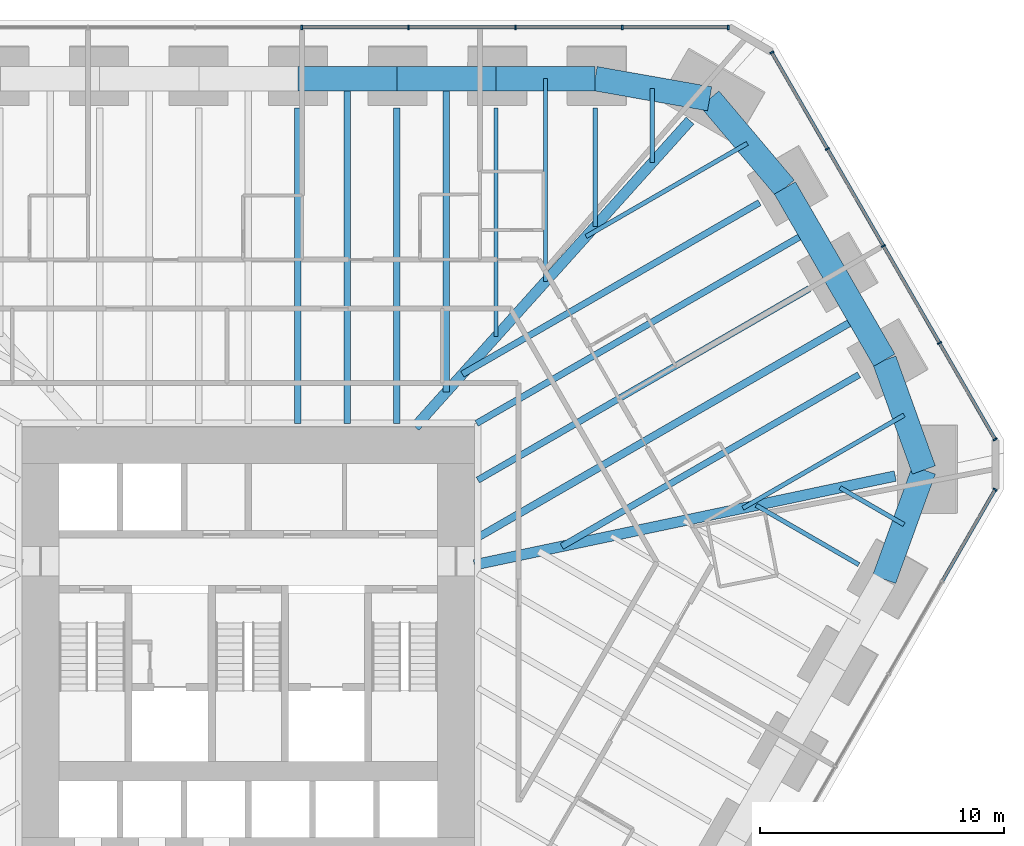
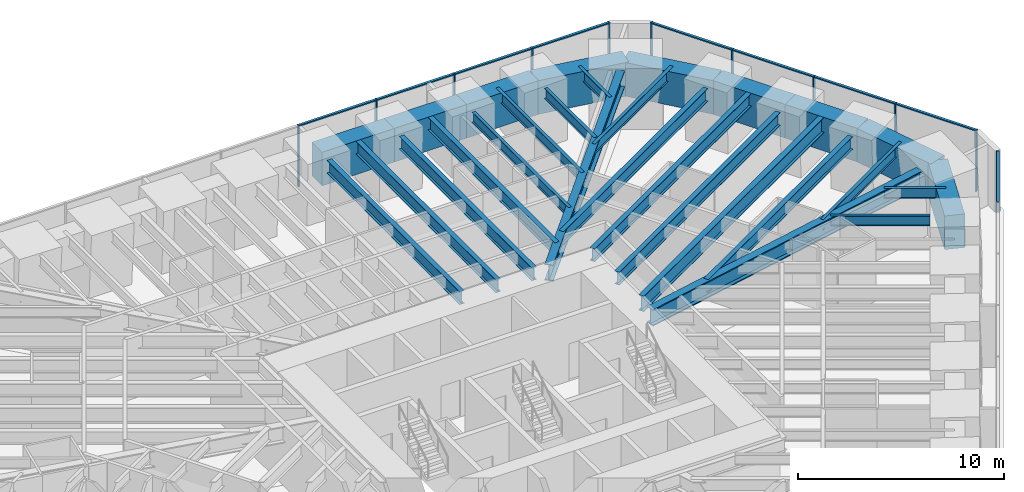
# One storey, part 9 of 17: 28 beams, 20 members, 3 elements without a shape of their own.
"""IFC4 building model written with IfcOpenShell, lengths in metres."""

from ifc_helpers import new_model, si_unit, direction, frame, origin, origin_2d, place, context, subcontext, project, spatial, rectangle, i_section, extrude, material, material_profile, profile_set, type_object, element, aggregate, save


model = new_model("IFC4")

# Units and contexts
model_context = context("Model", 3, precision=1e-05, world=origin(), true_north=direction((0.0, 1.0)))
body_context = subcontext(model_context, "Body", "Model", "MODEL_VIEW")
ifc_project = project(units=[si_unit("LENGTHUNIT", "METRE"), si_unit("AREAUNIT", "SQUARE_METRE"), si_unit("VOLUMEUNIT", "CUBIC_METRE"), si_unit("PLANEANGLEUNIT", "RADIAN"), si_unit("MASSUNIT", "GRAM", prefix="KILO")], contexts=[model_context])

# Site, building, storey
site_placement = place(None, origin())
site = spatial("IfcSite", under=ifc_project, at=site_placement, CompositionType="ELEMENT")
building_placement = place(site_placement, origin())
building = spatial("IfcBuilding", under=site, at=building_placement, Name="Sandreach Pilgrim Tower", CompositionType="ELEMENT")
storey_placement = place(building_placement, frame((0.0, 0.0, 76.199951171875)))
storey = spatial("IfcBuildingStorey", under=building, at=storey_placement, Name="L18", CompositionType="ELEMENT", Elevation=76.199951171875)

# Curtain wall, members
ifc_material_1 = material(Name="Aluminium framed curtain wall", Category="aluminium")
curtain_wall_type = type_object("IfcCurtainWallType", Name="Hostel tower curtain wall", PredefinedType="NOTDEFINED", material=ifc_material_1)
curtain_wall_1_placement = place(storey_placement, origin())
curtain_wall_1 = element("IfcCurtainWall", 1, at=curtain_wall_1_placement, inside=storey, type_object=curtain_wall_type, Name="CW-1 L18 N", PredefinedType="NOTDEFINED")
ifc_material_2 = material(Name="Aluminium extrusion", Category="aluminium")
ifc_material_profile_1 = material_profile(ifc_material_2, rectangle(XDim=0.06494140625, YDim=0.179931640625, at=origin_2d()), Name="CW-1M 65X180")
ifc_profile_set_1 = profile_set([ifc_material_profile_1], Name="Aluminium extrusion")
member_type_1 = type_object("IfcMemberType", Name="CW-1 mullion", PredefinedType="MULLION", material=ifc_profile_set_1)
member_1_placement = place(storey_placement, frame((2.185791015625, 23.94873046875, 0.0), z_axis=(0.0, 0.0, 1.0), x_axis=(1.0, 0.0, 0.0)))
member_1 = element("IfcMember", 2, at=member_1_placement, type_object=member_type_1, Name="CW-1 mullion 6", PredefinedType="MULLION", context=body_context, shape_type="SweptSolid", body=[
    extrude(rectangle(XDim=0.06494140625, YDim=0.179931640625, at=origin_2d()), origin(), (0.0, 0.0, 1.0), 3.64013671875),
])
member_2_placement = place(storey_placement, frame((6.557373046875, 23.94873046875, 0.0), z_axis=(0.0, 0.0, 1.0), x_axis=(1.0, 0.0, 0.0)))
member_2 = element("IfcMember", 3, at=member_2_placement, type_object=member_type_1, Name="CW-1 mullion 7", PredefinedType="MULLION", context=body_context, shape_type="SweptSolid", body=[
    extrude(rectangle(XDim=0.06494140625, YDim=0.179931640625, at=origin_2d()), origin(), (0.0, 0.0, 1.0), 3.64013671875),
])
member_3_placement = place(storey_placement, frame((10.928955078125, 23.94873046875, 0.0), z_axis=(0.0, 0.0, 1.0), x_axis=(1.0, 0.0, 0.0)))
member_3 = element("IfcMember", 4, at=member_3_placement, type_object=member_type_1, Name="CW-1 mullion 8", PredefinedType="MULLION", context=body_context, shape_type="SweptSolid", body=[
    extrude(rectangle(XDim=0.06494140625, YDim=0.179931640625, at=origin_2d()), origin(), (0.0, 0.0, 1.0), 3.64013671875),
])
member_4_placement = place(storey_placement, frame((15.300537109375, 23.94873046875, 0.0), z_axis=(0.0, 0.0, 1.0), x_axis=(1.0, 0.0, 0.0)))
member_4 = element("IfcMember", 5, at=member_4_placement, type_object=member_type_1, Name="CW-1 mullion 9", PredefinedType="MULLION", context=body_context, shape_type="SweptSolid", body=[
    extrude(rectangle(XDim=0.06494140625, YDim=0.179931640625, at=origin_2d()), origin(), (0.0, 0.0, 1.0), 3.64013671875),
])
member_5_placement = place(storey_placement, frame((19.6396484375, 23.94873046875, 0.0), z_axis=(0.0, 0.0, 1.0), x_axis=(1.0, 0.0, 0.0)))
member_5 = element("IfcMember", 6, at=member_5_placement, type_object=member_type_1, Name="CW-1 mullion 10", PredefinedType="MULLION", context=body_context, shape_type="SweptSolid", body=[
    extrude(rectangle(XDim=0.06494140625, YDim=0.179931640625, at=origin_2d()), origin(), (0.0, 0.0, 1.0), 3.64013671875),
])

curtain_wall_2_placement = place(storey_placement, origin())
curtain_wall_2 = element("IfcCurtainWall", 7, at=curtain_wall_2_placement, inside=storey, type_object=curtain_wall_type, Name="CW-1 L18 NE", PredefinedType="NOTDEFINED")
member_6_placement = place(storey_placement, frame((21.42041015625, 22.920654296875, 0.0), z_axis=(0.0, 0.0, 1.0), x_axis=(0.5, -0.866025403784, 0.0)))
member_6 = element("IfcMember", 8, at=member_6_placement, type_object=member_type_1, Name="CW-1 mullion 1", PredefinedType="MULLION", context=body_context, shape_type="SweptSolid", body=[
    extrude(rectangle(XDim=0.06494140625, YDim=0.179931640625, at=origin_2d()), origin(), (0.0, 0.0, 1.0), 3.64013671875),
])
member_7_placement = place(storey_placement, frame((23.697265625, 18.97705078125, 0.0), z_axis=(0.0, 0.0, 1.0), x_axis=(0.5, -0.866025403784, 0.0)))
member_7 = element("IfcMember", 9, at=member_7_placement, type_object=member_type_1, Name="CW-1 mullion 2", PredefinedType="MULLION", context=body_context, shape_type="SweptSolid", body=[
    extrude(rectangle(XDim=0.06494140625, YDim=0.179931640625, at=origin_2d()), origin(), (0.0, 0.0, 1.0), 3.64013671875),
])
member_8_placement = place(storey_placement, frame((25.990234375, 15.00537109375, 0.0), z_axis=(0.0, 0.0, 1.0), x_axis=(0.5, -0.866025403784, 0.0)))
member_8 = element("IfcMember", 10, at=member_8_placement, type_object=member_type_1, Name="CW-1 mullion 3", PredefinedType="MULLION", context=body_context, shape_type="SweptSolid", body=[
    extrude(rectangle(XDim=0.06494140625, YDim=0.179931640625, at=origin_2d()), origin(), (0.0, 0.0, 1.0), 3.64013671875),
])
member_9_placement = place(storey_placement, frame((28.283203125, 11.03369140625, 0.0), z_axis=(0.0, 0.0, 1.0), x_axis=(0.5, -0.866025403784, 0.0)))
member_9 = element("IfcMember", 11, at=member_9_placement, type_object=member_type_1, Name="CW-1 mullion 4", PredefinedType="MULLION", context=body_context, shape_type="SweptSolid", body=[
    extrude(rectangle(XDim=0.06494140625, YDim=0.179931640625, at=origin_2d()), origin(), (0.0, 0.0, 1.0), 3.64013671875),
])
member_10_placement = place(storey_placement, frame((30.56005859375, 7.09033203125, 0.0), z_axis=(0.0, 0.0, 1.0), x_axis=(0.5, -0.866025403784, 0.0)))
member_10 = element("IfcMember", 12, at=member_10_placement, type_object=member_type_1, Name="CW-1 mullion 5", PredefinedType="MULLION", context=body_context, shape_type="SweptSolid", body=[
    extrude(rectangle(XDim=0.06494140625, YDim=0.179931640625, at=origin_2d()), origin(), (0.0, 0.0, 1.0), 3.64013671875),
])

# Curtain wall, member
curtain_wall_3_placement = place(storey_placement, origin())
curtain_wall_3 = element("IfcCurtainWall", 13, at=curtain_wall_3_placement, inside=storey, type_object=curtain_wall_type, Name="CW-1 L18 SE", PredefinedType="NOTDEFINED")
member_11_placement = place(storey_placement, frame((30.56005859375, 5.033935546875, 0.0), z_axis=(0.0, 0.0, 1.0), x_axis=(-0.5, -0.866025403784, 0.0)))
member_11 = element("IfcMember", 14, at=member_11_placement, type_object=member_type_1, Name="CW-1 mullion 1", PredefinedType="MULLION", context=body_context, shape_type="SweptSolid", body=[
    extrude(rectangle(XDim=0.06494140625, YDim=0.179931640625, at=origin_2d()), origin(), (0.0, 0.0, 1.0), 3.64013671875),
])

# Member
ifc_material_3 = material(Name="Aluminium extrusion", Category="aluminium")
ifc_material_profile_2 = material_profile(ifc_material_3, rectangle(XDim=0.139892578125, YDim=0.070068359375, at=origin_2d()), Name="CW-1T 140X70")
ifc_profile_set_2 = profile_set([ifc_material_profile_2], Name="Aluminium extrusion")
member_type_2 = type_object("IfcMemberType", Name="CW-1 transom", PredefinedType="USERDEFINED", material=ifc_profile_set_2)
member_12_placement = place(storey_placement, frame((2.21826171875, 23.94873046875, 3.60498046875), z_axis=(1.0, 0.0, 0.0), x_axis=(0.0, 1.0, 0.0)))
member_12 = element("IfcMember", 15, at=member_12_placement, type_object=member_type_2, Name="CW-1 head transom 6", ObjectType="TRANSOM", PredefinedType="USERDEFINED", context=body_context, shape_type="SweptSolid", body=[
    extrude(rectangle(XDim=0.139892578125, YDim=0.070068359375, at=origin_2d()), origin(), (0.0, 0.0, 1.0), 4.306640625),
])

member_13_placement = place(storey_placement, frame((6.58984375, 23.94873046875, 3.60498046875), z_axis=(1.0, 0.0, 0.0), x_axis=(0.0, 1.0, 0.0)))
member_13 = element("IfcMember", 16, at=member_13_placement, type_object=member_type_2, Name="CW-1 head transom 7", ObjectType="TRANSOM", PredefinedType="USERDEFINED", context=body_context, shape_type="SweptSolid", body=[
    extrude(rectangle(XDim=0.139892578125, YDim=0.070068359375, at=origin_2d()), origin(), (0.0, 0.0, 1.0), 4.306640625),
])

member_14_placement = place(storey_placement, frame((10.96142578125, 23.94873046875, 3.60498046875), z_axis=(1.0, 0.0, 0.0), x_axis=(0.0, 1.0, 0.0)))
member_14 = element("IfcMember", 17, at=member_14_placement, type_object=member_type_2, Name="CW-1 head transom 8", ObjectType="TRANSOM", PredefinedType="USERDEFINED", context=body_context, shape_type="SweptSolid", body=[
    extrude(rectangle(XDim=0.139892578125, YDim=0.070068359375, at=origin_2d()), origin(), (0.0, 0.0, 1.0), 4.306640625),
])

member_15_placement = place(storey_placement, frame((15.3330078125, 23.94873046875, 3.60498046875), z_axis=(1.0, 0.0, 0.0), x_axis=(0.0, 1.0, 0.0)))
member_15 = element("IfcMember", 18, at=member_15_placement, type_object=member_type_2, Name="CW-1 head transom 9", ObjectType="TRANSOM", PredefinedType="USERDEFINED", context=body_context, shape_type="SweptSolid", body=[
    extrude(rectangle(XDim=0.139892578125, YDim=0.070068359375, at=origin_2d()), origin(), (0.0, 0.0, 1.0), 4.274169921875),
])

aggregate(curtain_wall_1, [member_1, member_2, member_3, member_4, member_5, member_12, member_13, member_14, member_15])

member_16_placement = place(storey_placement, frame((21.4365234375, 22.892333984375, 3.60498046875), z_axis=(0.500017500808, -0.866015299452, 0.0), x_axis=(0.866015299452, 0.500017500808, 0.0)))
member_16 = element("IfcMember", 19, at=member_16_placement, type_object=member_type_2, Name="CW-1 head transom 1", ObjectType="TRANSOM", PredefinedType="USERDEFINED", context=body_context, shape_type="SweptSolid", body=[
    extrude(rectangle(XDim=0.139892578125, YDim=0.070068359375, at=origin_2d()), origin(), (0.0, 0.0, 1.0), 4.488525390625),
])

member_17_placement = place(storey_placement, frame((23.71337890625, 18.948974609375, 3.60498046875), z_axis=(0.500001366228, -0.866024614991, 0.0), x_axis=(0.866024614991, 0.500001366228, 0.0)))
member_17 = element("IfcMember", 20, at=member_17_placement, type_object=member_type_2, Name="CW-1 head transom 2", ObjectType="TRANSOM", PredefinedType="USERDEFINED", context=body_context, shape_type="SweptSolid", body=[
    extrude(rectangle(XDim=0.139892578125, YDim=0.070068359375, at=origin_2d()), origin(), (0.0, 0.0, 1.0), 4.52099609375),
])

member_18_placement = place(storey_placement, frame((26.00634765625, 14.977294921875, 3.60498046875), z_axis=(0.500001366228, -0.866024614991, 0.0), x_axis=(0.866024614991, 0.500001366228, 0.0)))
member_18 = element("IfcMember", 21, at=member_18_placement, type_object=member_type_2, Name="CW-1 head transom 3", ObjectType="TRANSOM", PredefinedType="USERDEFINED", context=body_context, shape_type="SweptSolid", body=[
    extrude(rectangle(XDim=0.139892578125, YDim=0.070068359375, at=origin_2d()), origin(), (0.0, 0.0, 1.0), 4.52099609375),
])

member_19_placement = place(storey_placement, frame((28.299560546875, 11.005615234375, 3.60498046875), z_axis=(0.499976706761, -0.866038851724, 0.0), x_axis=(0.866038851724, 0.499976706761, 0.0)))
member_19 = element("IfcMember", 22, at=member_19_placement, type_object=member_type_2, Name="CW-1 head transom 4", ObjectType="TRANSOM", PredefinedType="USERDEFINED", context=body_context, shape_type="SweptSolid", body=[
    extrude(rectangle(XDim=0.139892578125, YDim=0.070068359375, at=origin_2d()), origin(), (0.0, 0.0, 1.0), 4.488525390625),
])

aggregate(curtain_wall_2, [member_6, member_7, member_8, member_9, member_10, member_16, member_17, member_18, member_19])

member_20_placement = place(storey_placement, frame((30.543701171875, 5.005859375, 3.60498046875), z_axis=(-0.499991113271, -0.866030534479, 0.0), x_axis=(0.866030534479, -0.499991113271, 0.0)))
member_20 = element("IfcMember", 23, at=member_20_placement, type_object=member_type_2, Name="CW-1 head transom 1", ObjectType="TRANSOM", PredefinedType="USERDEFINED", context=body_context, shape_type="SweptSolid", body=[
    extrude(rectangle(XDim=0.139892578125, YDim=0.070068359375, at=origin_2d()), origin(), (0.0, 0.0, 1.0), 4.27392578125),
])

aggregate(curtain_wall_3, [member_11, member_20])

# Beams
ifc_material_4 = material(Name="Steel ASTM A992 Grade 50", Category="steel")
ifc_material_profile_3 = material_profile(ifc_material_4, i_section(OverallWidth=0.4267578125, OverallDepth=0.975341796875, WebThickness=0.031005859375, FlangeThickness=0.055908203125, at=origin_2d()), Name="W36X395")
ifc_profile_set_3 = profile_set([ifc_material_profile_3], Name="Steel ASTM A992 Grade 50")
beam_type_1 = type_object("IfcBeamType", Name="Corner girder W36X395", PredefinedType="BEAM", material=ifc_profile_set_3)
beam_1_placement = place(storey_placement, frame((18.0751953125, 20.129638671875, 3.15234375), z_axis=(-0.668124063218, -0.744049888213, 0.0), x_axis=(0.744049888213, -0.668124063218, 0.0)))
element("IfcBeam", 24, at=beam_1_placement, inside=storey, type_object=beam_type_1, Name="BM L18 CG09", PredefinedType="BEAM", context=body_context, shape_type="SweptSolid", body=[
    extrude(i_section(OverallWidth=0.4267578125, OverallDepth=0.975341796875, WebThickness=0.031005859375, FlangeThickness=0.055908203125, at=origin_2d()), origin(), (0.0, 0.0, 1.0), 16.839599609375),
])
ifc_material_5 = material(Name="Steel ASTM A992 Grade 50", Category="steel")
ifc_material_profile_4 = material_profile(ifc_material_5, i_section(OverallWidth=0.431884765625, OverallDepth=0.988037109375, WebThickness=0.034423828125, FlangeThickness=0.06201171875, at=origin_2d()), Name="W36X441")
ifc_profile_set_4 = profile_set([ifc_material_profile_4], Name="Steel ASTM A992 Grade 50")
beam_type_2 = type_object("IfcBeamType", Name="Corner girder W36X441", PredefinedType="BEAM", material=ifc_profile_set_4)
beam_2_placement = place(storey_placement, frame((26.47021484375, 5.588623046875, 3.14599609375), z_axis=(-0.978430109854, -0.206578121132, 0.0), x_axis=(0.206578121132, -0.978430109854, 0.0)))
element("IfcBeam", 25, at=beam_2_placement, inside=storey, type_object=beam_type_2, Name="BM L18 CG13", PredefinedType="BEAM", context=body_context, shape_type="SweptSolid", body=[
    extrude(i_section(OverallWidth=0.431884765625, OverallDepth=0.988037109375, WebThickness=0.034423828125, FlangeThickness=0.06201171875, at=origin_2d()), origin(), (0.0, 0.0, 1.0), 17.599853515625),
])
ifc_material_6 = material(Name="Steel ASTM A992 Grade 50", Category="steel")
ifc_material_profile_5 = material_profile(ifc_material_6, i_section(OverallWidth=0.1787109375, OverallDepth=0.60205078125, WebThickness=0.010986328125, FlangeThickness=0.014892578125, at=origin_2d()), Name="W24X62")
ifc_profile_set_5 = profile_set([ifc_material_profile_5], Name="Steel ASTM A992 Grade 50")
beam_type_3 = type_object("IfcBeamType", Name="Floor beam W24X62", PredefinedType="BEAM", material=ifc_profile_set_5)
beam_3_placement = place(storey_placement, frame((10.13623046875, 20.651123046875, 3.339111328125), z_axis=(0.0, -1.0, 0.0), x_axis=(1.0, 0.0, 0.0)))
element("IfcBeam", 26, at=beam_3_placement, inside=storey, type_object=beam_type_3, Name="BM L18 F07", PredefinedType="BEAM", context=body_context, shape_type="SweptSolid", body=[
    extrude(i_section(OverallWidth=0.1787109375, OverallDepth=0.60205078125, WebThickness=0.010986328125, FlangeThickness=0.014892578125, at=origin_2d()), origin(), (0.0, 0.0, 1.0), 9.36279296875),
])
for number, where, z_axis, x_axis, name in (
    (27, (14.190673828125, 20.651123046875, 3.339111328125), (0.0, -1.0, 0.0), (1.0, 0.0, 0.0), "BM L18 F08"),
    (28, (24.979736328125, 1.964111328125, 3.339111328125), (-0.866037134122, 0.499979681909, 0.0), (-0.499979681909, -0.866037134122, 0.0), "BM L18 F14"),
):
    element("IfcBeam", number, at=place(storey_placement, frame(where, z_axis=z_axis, x_axis=x_axis)), inside=storey, type_object=beam_type_3, Name=name, PredefinedType="BEAM", context=body_context, shape_type="SweptSolid", body=[
        extrude(i_section(OverallWidth=0.1787109375, OverallDepth=0.60205078125, WebThickness=0.010986328125, FlangeThickness=0.014892578125, at=origin_2d()), origin(), (0.0, 0.0, 1.0), 4.847412109375),
    ])
beam_4_placement = place(storey_placement, frame((12.16357421875, 21.85107421875, 3.339111328125), z_axis=(0.0, -1.0, 0.0), x_axis=(1.0, 0.0, 0.0)))
element("IfcBeam", 29, at=beam_4_placement, inside=storey, type_object=beam_type_3, Name="BM L18 FM07", PredefinedType="BEAM", context=body_context, shape_type="SweptSolid", body=[
    extrude(i_section(OverallWidth=0.1787109375, OverallDepth=0.60205078125, WebThickness=0.010986328125, FlangeThickness=0.014892578125, at=origin_2d()), origin(), (0.0, 0.0, 1.0), 8.30517578125),
])
beam_5_placement = place(storey_placement, frame((16.53369140625, 21.436767578125, 3.339111328125), z_axis=(0.0, -1.0, 0.0), x_axis=(1.0, 0.0, 0.0)))
element("IfcBeam", 30, at=beam_5_placement, inside=storey, type_object=beam_type_3, Name="BM L18 FM08", PredefinedType="BEAM", context=body_context, shape_type="SweptSolid", body=[
    extrude(i_section(OverallWidth=0.1787109375, OverallDepth=0.60205078125, WebThickness=0.010986328125, FlangeThickness=0.014892578125, at=origin_2d()), origin(), (0.0, 0.0, 1.0), 3.023681640625),
])
for number, where, z_axis, x_axis, name in (
    (31, (20.41748046875, 19.198974609375, 3.339111328125), (-0.866022320763, -0.500005339912, 0.0), (0.500005339912, -0.866022320763, 0.0), "BM L18 FM09"),
    (32, (26.83544921875, 8.08251953125, 3.339111328125), (-0.866022320763, -0.500005339912, 0.0), (0.500005339912, -0.866022320763, 0.0), "BM L18 FM12"),
):
    element("IfcBeam", number, at=place(storey_placement, frame(where, z_axis=z_axis, x_axis=x_axis)), inside=storey, type_object=beam_type_3, Name=name, PredefinedType="BEAM", context=body_context, shape_type="SweptSolid", body=[
        extrude(i_section(OverallWidth=0.1787109375, OverallDepth=0.60205078125, WebThickness=0.010986328125, FlangeThickness=0.014892578125, at=origin_2d()), origin(), (0.0, 0.0, 1.0), 7.6201171875),
    ])
beam_6_placement = place(storey_placement, frame((26.83154296875, 3.600341796875, 3.339111328125), z_axis=(-0.866028258222, 0.499995055936, 0.0), x_axis=(-0.499995055936, -0.866028258222, 0.0)))
element("IfcBeam", 33, at=beam_6_placement, inside=storey, type_object=beam_type_3, Name="BM L18 FM13", PredefinedType="BEAM", context=body_context, shape_type="SweptSolid", body=[
    extrude(i_section(OverallWidth=0.1787109375, OverallDepth=0.60205078125, WebThickness=0.010986328125, FlangeThickness=0.014892578125, at=origin_2d()), origin(), (0.0, 0.0, 1.0), 3.0234375),
])
ifc_material_7 = material(Name="Steel ASTM A992 Grade 50", Category="steel")
ifc_material_profile_6 = material_profile(ifc_material_7, i_section(OverallWidth=0.2666015625, OverallDepth=0.761962890625, WebThickness=0.014404296875, FlangeThickness=0.021484375, at=origin_2d()), Name="W30X116")
ifc_profile_set_6 = profile_set([ifc_material_profile_6], Name="Steel ASTM A992 Grade 50")
beam_type_4 = type_object("IfcBeamType", Name="Floor beam W30X116", PredefinedType="BEAM", material=ifc_profile_set_6)
for number, where, z_axis, x_axis, name in (
    (34, (2.02734375, 20.651123046875, 3.259033203125), (0.0, -1.0, 0.0), (1.0, 0.0, 0.0), "BM L18 F05"),
    (35, (6.081787109375, 20.651123046875, 3.259033203125), (0.0, -1.0, 0.0), (1.0, 0.0, 0.0), "BM L18 F06"),
):
    element("IfcBeam", number, at=place(storey_placement, frame(where, z_axis=z_axis, x_axis=x_axis)), inside=storey, type_object=beam_type_4, Name=name, PredefinedType="BEAM", context=body_context, shape_type="SweptSolid", body=[
        extrude(i_section(OverallWidth=0.2666015625, OverallDepth=0.761962890625, WebThickness=0.014404296875, FlangeThickness=0.021484375, at=origin_2d()), origin(), (0.0, 0.0, 1.0), 12.90771484375),
    ])
for number, where, z_axis, x_axis, name in (
    (36, (20.918701171875, 16.775390625, 3.259033203125), (-0.866023713045, -0.500002928436, 0.0), (0.500002928436, -0.866023713045, 0.0), "BM L18 F10"),
    (37, (24.9873046875, 9.728515625, 3.259033203125), (-0.866023713045, -0.500002928436, 0.0), (0.500002928436, -0.866023713045, 0.0), "BM L18 F12"),
):
    element("IfcBeam", number, at=place(storey_placement, frame(where, z_axis=z_axis, x_axis=x_axis)), inside=storey, type_object=beam_type_4, Name=name, PredefinedType="BEAM", context=body_context, shape_type="SweptSolid", body=[
        extrude(i_section(OverallWidth=0.2666015625, OverallDepth=0.761962890625, WebThickness=0.014404296875, FlangeThickness=0.021484375, at=origin_2d()), origin(), (0.0, 0.0, 1.0), 14.0400390625),
    ])
beam_7_placement = place(storey_placement, frame((4.054443359375, 21.85107421875, 3.259033203125), z_axis=(0.0, -1.0, 0.0), x_axis=(1.0, 0.0, 0.0)))
element("IfcBeam", 38, at=beam_7_placement, inside=storey, type_object=beam_type_4, Name="BM L18 FM05", PredefinedType="BEAM", context=body_context, shape_type="SweptSolid", body=[
    extrude(i_section(OverallWidth=0.2666015625, OverallDepth=0.761962890625, WebThickness=0.014404296875, FlangeThickness=0.021484375, at=origin_2d()), origin(), (0.0, 0.0, 1.0), 14.107666015625),
])
beam_8_placement = place(storey_placement, frame((8.10888671875, 21.85107421875, 3.259033203125), z_axis=(0.0, -1.0, 0.0), x_axis=(1.0, 0.0, 0.0)))
element("IfcBeam", 39, at=beam_8_placement, inside=storey, type_object=beam_type_4, Name="BM L18 FM06", PredefinedType="BEAM", context=body_context, shape_type="SweptSolid", body=[
    extrude(i_section(OverallWidth=0.2666015625, OverallDepth=0.761962890625, WebThickness=0.014404296875, FlangeThickness=0.021484375, at=origin_2d()), origin(), (0.0, 0.0, 1.0), 12.8203125),
])
ifc_material_8 = material(Name="Steel ASTM A992 Grade 50", Category="steel")
ifc_material_profile_7 = material_profile(ifc_material_8, i_section(OverallWidth=0.2666015625, OverallDepth=0.77978515625, WebThickness=0.0166015625, FlangeThickness=0.030029296875, at=origin_2d()), Name="W30X148")
ifc_profile_set_7 = profile_set([ifc_material_profile_7], Name="Steel ASTM A992 Grade 50")
beam_type_5 = type_object("IfcBeamType", Name="Floor beam W30X148", PredefinedType="BEAM", material=ifc_profile_set_7)
beam_9_placement = place(storey_placement, frame((22.952880859375, 13.251953125, 3.250244140625), z_axis=(-0.866025633016, -0.499999602958, 0.0), x_axis=(0.499999602958, -0.866025633016, 0.0)))
element("IfcBeam", 40, at=beam_9_placement, inside=storey, type_object=beam_type_5, Name="BM L18 F11", PredefinedType="BEAM", context=body_context, shape_type="SweptSolid", body=[
    extrude(i_section(OverallWidth=0.2666015625, OverallDepth=0.77978515625, WebThickness=0.0166015625, FlangeThickness=0.030029296875, at=origin_2d()), origin(), (0.0, 0.0, 1.0), 15.6572265625),
])
beam_10_placement = place(storey_placement, frame((22.97509765625, 15.613525390625, 3.250244140625), z_axis=(-0.86603164725, -0.499989185844, 0.0), x_axis=(0.499989185844, -0.86603164725, 0.0)))
element("IfcBeam", 41, at=beam_10_placement, inside=storey, type_object=beam_type_5, Name="BM L18 FM10", PredefinedType="BEAM", context=body_context, shape_type="SweptSolid", body=[
    extrude(i_section(OverallWidth=0.2666015625, OverallDepth=0.77978515625, WebThickness=0.0166015625, FlangeThickness=0.030029296875, at=origin_2d()), origin(), (0.0, 0.0, 1.0), 15.740478515625),
])
ifc_material_9 = material(Name="Steel ASTM A992 Grade 50", Category="steel")
ifc_material_profile_8 = material_profile(ifc_material_9, i_section(OverallWidth=0.3046875, OverallDepth=0.914306640625, WebThickness=0.0166015625, FlangeThickness=0.02587890625, at=origin_2d()), Name="W36X160")
ifc_profile_set_8 = profile_set([ifc_material_profile_8], Name="Steel ASTM A992 Grade 50")
beam_type_6 = type_object("IfcBeamType", Name="Floor beam W36X160", PredefinedType="BEAM", material=ifc_profile_set_8)
beam_11_placement = place(storey_placement, frame((25.00927734375, 12.090087890625, 3.182861328125), z_axis=(-0.866025727809, -0.499999438773, 0.0), x_axis=(0.499999438773, -0.866025727809, 0.0)))
element("IfcBeam", 42, at=beam_11_placement, inside=storey, type_object=beam_type_6, Name="BM L18 FM11", PredefinedType="BEAM", context=body_context, shape_type="SweptSolid", body=[
    extrude(i_section(OverallWidth=0.3046875, OverallDepth=0.914306640625, WebThickness=0.0166015625, FlangeThickness=0.02587890625, at=origin_2d()), origin(), (0.0, 0.0, 1.0), 18.03173828125),
])
ifc_material_10 = material(Name="Concrete 10000 psi", Category="concrete")
ifc_material_profile_9 = material_profile(ifc_material_10, rectangle(XDim=1.0, YDim=2.0, at=origin_2d()), Name="RC1000X2000")
ifc_profile_set_9 = profile_set([ifc_material_profile_9], Name="Concrete 10000 psi")
beam_type_7 = type_object("IfcBeamType", Name="Spandrel beam RC1000X2000", PredefinedType="SPANDREL", material=ifc_profile_set_9)
for number, where, z_axis, x_axis, name in (
    (43, (2.02734375, 21.85107421875, 2.64013671875), (1.0, 0.0, 0.0), (0.0, 1.0, 0.0), "BM L18 SP05"),
    (44, (6.081787109375, 21.85107421875, 2.64013671875), (1.0, 0.0, 0.0), (0.0, 1.0, 0.0), "BM L18 SP06"),
    (45, (10.13623046875, 21.85107421875, 2.64013671875), (1.0, 0.0, 0.0), (0.0, 1.0, 0.0), "BM L18 SP07"),
):
    element("IfcBeam", number, at=place(storey_placement, frame(where, z_axis=z_axis, x_axis=x_axis)), inside=storey, type_object=beam_type_7, Name=name, PredefinedType="SPANDREL", context=body_context, shape_type="SweptSolid", body=[
        extrude(rectangle(XDim=1.0, YDim=2.0, at=origin_2d()), origin(), (0.0, 0.0, 1.0), 4.054443359375),
    ])
beam_12_placement = place(storey_placement, frame((14.190673828125, 21.85107421875, 2.64013671875), z_axis=(0.984725143954, -0.174116027016, 0.0), x_axis=(0.174116027016, 0.984725143954, 0.0)))
element("IfcBeam", 46, at=beam_12_placement, inside=storey, type_object=beam_type_7, Name="BM L18 SP08", PredefinedType="SPANDREL", context=body_context, shape_type="SweptSolid", body=[
    extrude(rectangle(XDim=1.0, YDim=2.0, at=origin_2d()), origin(), (0.0, 0.0, 1.0), 4.759033203125),
])
beam_13_placement = place(storey_placement, frame((18.876953125, 21.0224609375, 2.64013671875), z_axis=(0.64532541154, -0.763907791046, 0.0), x_axis=(0.763907791046, 0.64532541154, 0.0)))
element("IfcBeam", 47, at=beam_13_placement, inside=storey, type_object=beam_type_7, Name="BM L18 SP09", PredefinedType="SPANDREL", context=body_context, shape_type="SweptSolid", body=[
    extrude(rectangle(XDim=1.0, YDim=2.0, at=origin_2d()), origin(), (0.0, 0.0, 1.0), 4.7744140625),
])
for number, where, z_axis, x_axis, name in (
    (48, (21.9580078125, 17.375244140625, 2.64013671875), (0.499985639223, -0.866033694824, 0.0), (0.866033694824, 0.499985639223, 0.0), "BM L18 SP10"),
    (49, (23.9921875, 13.851806640625, 2.64013671875), (0.499985639223, -0.866033694824, 0.0), (0.866033694824, 0.499985639223, 0.0), "BM L18 SP11"),
):
    element("IfcBeam", number, at=place(storey_placement, frame(where, z_axis=z_axis, x_axis=x_axis)), inside=storey, type_object=beam_type_7, Name=name, PredefinedType="SPANDREL", context=body_context, shape_type="SweptSolid", body=[
        extrude(rectangle(XDim=1.0, YDim=2.0, at=origin_2d()), origin(), (0.0, 0.0, 1.0), 4.068359375),
    ])
beam_14_placement = place(storey_placement, frame((26.0263671875, 10.328369140625, 2.64013671875), z_axis=(0.338933132141, -0.94081046547, 0.0), x_axis=(0.94081046547, 0.338933132141, 0.0)))
element("IfcBeam", 50, at=beam_14_placement, inside=storey, type_object=beam_type_7, Name="BM L18 SP12", PredefinedType="SPANDREL", context=body_context, shape_type="SweptSolid", body=[
    extrude(rectangle(XDim=1.0, YDim=2.0, at=origin_2d()), origin(), (0.0, 0.0, 1.0), 4.774169921875),
])
beam_15_placement = place(storey_placement, frame((27.64453125, 5.836669921875, 2.64013671875), z_axis=(-0.341615368371, -0.939839848109, 0.0), x_axis=(0.939839848109, -0.341615368371, 0.0)))
element("IfcBeam", 51, at=beam_15_placement, inside=storey, type_object=beam_type_7, Name="BM L18 SP13", PredefinedType="SPANDREL", context=body_context, shape_type="SweptSolid", body=[
    extrude(rectangle(XDim=1.0, YDim=2.0, at=origin_2d()), origin(), (0.0, 0.0, 1.0), 4.759033203125),
])

save(model, "model.ifc")
